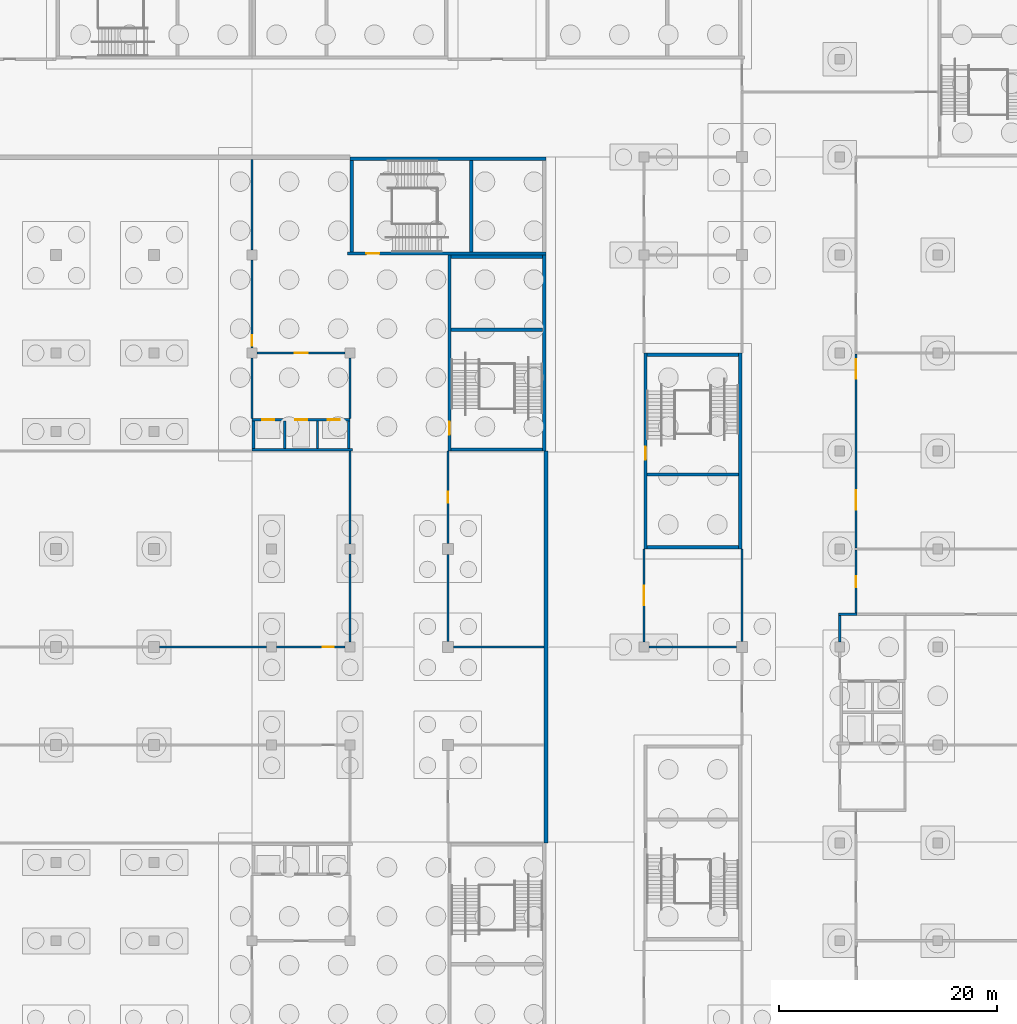
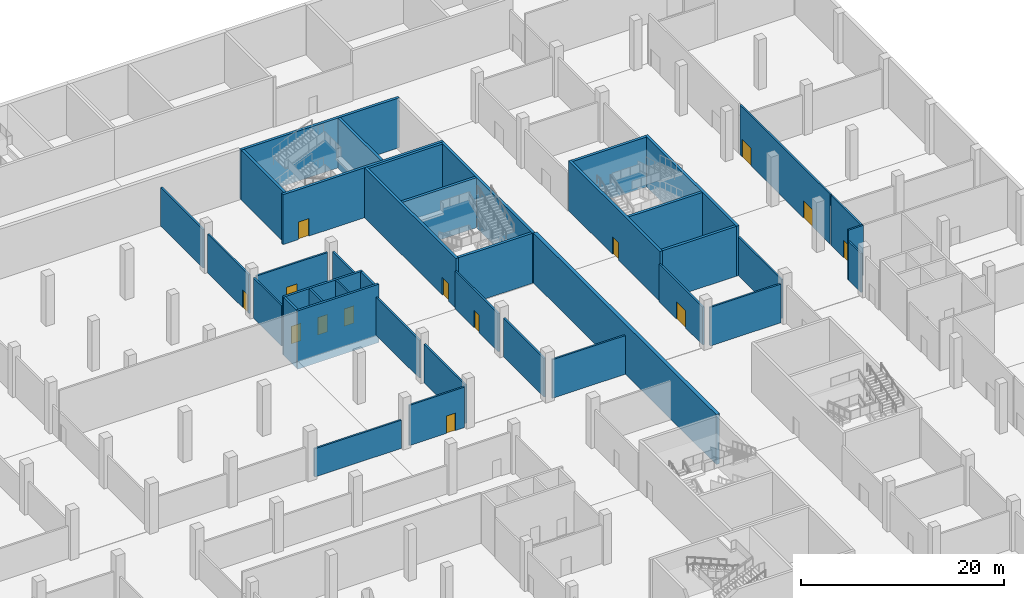
# One storey, part 20 of 42: 40 walls, 14 doors, 14 openings.
"""IFC4 building model written with IfcOpenShell, lengths in metres."""

from ifc_helpers import new_model, si_unit, direction, frame, frame_2d, origin, place, context, subcontext, project, spatial, rectangle, extrude, material, layer, layer_set, type_object, element, fill, save


model = new_model("IFC4")

# Units and contexts
model_context = context("Model", 3, precision=1e-05, world=origin(), true_north=direction((0.0, 1.0)))
body_context = subcontext(model_context, "Body", "Model", "MODEL_VIEW")
ifc_project = project(units=[si_unit("LENGTHUNIT", "METRE"), si_unit("AREAUNIT", "SQUARE_METRE"), si_unit("VOLUMEUNIT", "CUBIC_METRE"), si_unit("PLANEANGLEUNIT", "RADIAN"), si_unit("MASSUNIT", "GRAM", prefix="KILO")], contexts=[model_context])

# Site, building, storey
site_placement = place(None, origin())
site = spatial("IfcSite", under=ifc_project, at=site_placement, CompositionType="ELEMENT")
building_placement = place(site_placement, origin())
building = spatial("IfcBuilding", under=site, at=building_placement, Name="Silverbay Arena", CompositionType="ELEMENT")
storey_placement = place(building_placement, frame((0.0, 0.0, -6.0)))
storey = spatial("IfcBuildingStorey", under=building, at=storey_placement, Name="B1", CompositionType="ELEMENT", Elevation=-6.0)

# Wall, opening, door
ifc_material_1 = material(Name="Concrete Grade C45", Category="concrete")
ifc_layer_1 = layer(ifc_material_1, 0.300048828125)
ifc_layer_set_1 = layer_set([ifc_layer_1], Name="Concrete Grade C45")
wall_type_1 = type_object("IfcWallType", Name="Core wall RC 300 EI 240", PredefinedType="SHEAR", material=ifc_layer_set_1)
wall_1_placement = place(storey_placement, frame((198.14990234375, 108.0, 0.0), z_axis=(0.0, 0.0, 1.0), x_axis=(0.0, -1.0, 0.0)))
wall_1 = element("IfcWall", 1, at=wall_1_placement, inside=storey, type_object=wall_type_1, Name="Core wall ST-E2 B1 door side", PredefinedType="SHEAR", context=body_context, shape_type="SweptSolid", body=[
    extrude(rectangle(XDim=18.0, YDim=0.300048828125, at=frame_2d((9.0, 0.0))), origin(), (0.0, 0.0, 1.0), 6.0),
])
opening_1_placement = place(wall_1_placement, frame((8.60009765625, 0.0, 0.0)))
opening_1 = element("IfcOpeningElement", 2, at=opening_1_placement, cuts=wall_1, Name="Opening B1-087", PredefinedType="OPENING", context=body_context, shape_type="SweptSolid", body=[
    extrude(rectangle(XDim=1.199951171875, YDim=2.10009765625, at=frame_2d((0.60009765625, 1.050048828125))), frame((0.0, 0.16015625, 0.0), z_axis=(0.0, -1.0, 0.0), x_axis=(1.0, 0.0, 0.0)), (0.0, 0.0, 1.0), 0.320068359375),
])
ifc_material_2 = material(Name="Steel fire door", Category="steel")
door_type_1 = type_object("IfcDoorType", Name="Stair door 1200 x 2100 fire door", OperationType="SINGLE_SWING_LEFT", PredefinedType="DOOR", material=ifc_material_2)
door_1_placement = place(opening_1_placement, origin())
door_1 = element("IfcDoor", 3, at=door_1_placement, inside=storey, type_object=door_type_1, Name="Stair door ST-E2 B1", OperationType="SINGLE_SWING_RIGHT", OverallHeight=2.10009765625, OverallWidth=1.199951171875, PredefinedType="DOOR", context=body_context, shape_type="SweptSolid", body=[
    extrude(rectangle(XDim=1.199951171875, YDim=2.10009765625, at=frame_2d((0.60009765625, 1.050048828125))), frame((0.0, 0.02490234375, 0.0), z_axis=(0.0, -1.0, 0.0), x_axis=(1.0, 0.0, 0.0)), (0.0, 0.0, 1.0), 0.050048828125),
])
fill(opening_1, door_1)

# Walls
wall_2_placement = place(storey_placement, frame((206.85009765625, 108.0, 0.0), z_axis=(0.0, 0.0, 1.0), x_axis=(0.0, -1.0, 0.0)))
element("IfcWall", 4, at=wall_2_placement, inside=storey, type_object=wall_type_1, Name="Core wall ST-E2 B1 far side", PredefinedType="SHEAR", context=body_context, shape_type="SweptSolid", body=[
    extrude(rectangle(XDim=18.0, YDim=0.300048828125, at=frame_2d((9.0, 0.0))), origin(), (0.0, 0.0, 1.0), 6.0),
])
for number, where, z_axis, x_axis, name in (
    (5, (198.300048828125, 107.85009765625, 0.0), (0.0, 0.0, 1.0), (1.0, 0.0, 0.0), "Core wall ST-E2 B1 end 1"),
    (6, (198.300048828125, 90.14990234375, 0.0), (0.0, 0.0, 1.0), (1.0, 0.0, 0.0), "Core wall ST-E2 B1 end 2"),
    (7, (198.300048828125, 96.85009765625, 0.0), (0.0, 0.0, 1.0), (1.0, 0.0, 0.0), "Core wall ST-E2 B1 stair enclosure"),
):
    element("IfcWall", number, at=place(storey_placement, frame(where, z_axis=z_axis, x_axis=x_axis)), inside=storey, type_object=wall_type_1, Name=name, PredefinedType="SHEAR", context=body_context, shape_type="SweptSolid", body=[
        extrude(rectangle(XDim=8.39990234375, YDim=0.300048828125, at=frame_2d((4.199951171875, 0.0))), origin(), (0.0, 0.0, 1.0), 6.0),
    ])

# Wall, opening, door
wall_3_placement = place(storey_placement, frame((170.75, 117.14990234375, 0.0), z_axis=(0.0, 0.0, 1.0), x_axis=(1.0, 0.0, 0.0)))
wall_3 = element("IfcWall", 8, at=wall_3_placement, inside=storey, type_object=wall_type_1, Name="Core wall ST-NE1 B1 door side", PredefinedType="SHEAR", context=body_context, shape_type="SweptSolid", body=[
    extrude(rectangle(XDim=18.25, YDim=0.300048828125, at=frame_2d((9.125, 0.0))), origin(), (0.0, 0.0, 1.0), 6.0),
])
opening_2_placement = place(wall_3_placement, frame((1.75, 0.0, 0.0)))
opening_2 = element("IfcOpeningElement", 9, at=opening_2_placement, cuts=wall_3, Name="Opening B1-094", PredefinedType="OPENING", context=body_context, shape_type="SweptSolid", body=[
    extrude(rectangle(XDim=1.199951171875, YDim=2.10009765625, at=frame_2d((0.60009765625, 1.050048828125))), frame((0.0, 0.16015625, 0.0), z_axis=(0.0, -1.0, 0.0), x_axis=(1.0, 0.0, 0.0)), (0.0, 0.0, 1.0), 0.320068359375),
])
door_2_placement = place(opening_2_placement, origin())
door_2 = element("IfcDoor", 10, at=door_2_placement, inside=storey, type_object=door_type_1, Name="Stair door ST-NE1 B1", OperationType="SINGLE_SWING_LEFT", OverallHeight=2.10009765625, OverallWidth=1.199951171875, PredefinedType="DOOR", context=body_context, shape_type="SweptSolid", body=[
    extrude(rectangle(XDim=1.199951171875, YDim=2.10009765625, at=frame_2d((0.60009765625, 1.050048828125))), frame((0.0, 0.02490234375, 0.0), z_axis=(0.0, -1.0, 0.0), x_axis=(1.0, 0.0, 0.0)), (0.0, 0.0, 1.0), 0.050048828125),
])
fill(opening_2, door_2)

# Walls
wall_4_placement = place(storey_placement, frame((171.0, 125.85009765625, 0.0), z_axis=(0.0, 0.0, 1.0), x_axis=(1.0, 0.0, 0.0)))
element("IfcWall", 11, at=wall_4_placement, inside=storey, type_object=wall_type_1, Name="Core wall ST-NE1 B1 far side", PredefinedType="SHEAR", context=body_context, shape_type="SweptSolid", body=[
    extrude(rectangle(XDim=18.0, YDim=0.300048828125, at=frame_2d((9.0, 0.0))), origin(), (0.0, 0.0, 1.0), 6.0),
])
for number, where, z_axis, x_axis, name in (
    (12, (171.14990234375, 117.300048828125, 0.0), (0.0, 0.0, 1.0), (0.0, 1.0, 0.0), "Core wall ST-NE1 B1 end 1"),
    (13, (182.14990234375, 117.300048828125, 0.0), (0.0, 0.0, 1.0), (0.0, 1.0, 0.0), "Core wall ST-NE1 B1 stair enclosure"),
):
    element("IfcWall", number, at=place(storey_placement, frame(where, z_axis=z_axis, x_axis=x_axis)), inside=storey, type_object=wall_type_1, Name=name, PredefinedType="SHEAR", context=body_context, shape_type="SweptSolid", body=[
        extrude(rectangle(XDim=8.39990234375, YDim=0.300048828125, at=frame_2d((4.199951171875, 0.0))), origin(), (0.0, 0.0, 1.0), 6.0),
    ])

# Wall, opening, door
wall_5_placement = place(storey_placement, frame((180.14990234375, 99.0, 0.0), z_axis=(0.0, 0.0, 1.0), x_axis=(0.0, 1.0, 0.0)))
wall_5 = element("IfcWall", 14, at=wall_5_placement, inside=storey, type_object=wall_type_1, Name="Core wall ST-NE2 B1 door side", PredefinedType="SHEAR", context=body_context, shape_type="SweptSolid", body=[
    extrude(rectangle(XDim=18.0, YDim=0.300048828125, at=frame_2d((9.0, 0.0))), origin(), (0.0, 0.0, 1.0), 6.0),
])
opening_3_placement = place(wall_5_placement, frame((1.5, 0.0, 0.0)))
opening_3 = element("IfcOpeningElement", 15, at=opening_3_placement, cuts=wall_5, Name="Opening B1-095", PredefinedType="OPENING", context=body_context, shape_type="SweptSolid", body=[
    extrude(rectangle(XDim=1.199951171875, YDim=2.10009765625, at=frame_2d((0.60009765625, 1.050048828125))), frame((0.0, 0.16015625, 0.0), z_axis=(0.0, -1.0, 0.0), x_axis=(1.0, 0.0, 0.0)), (0.0, 0.0, 1.0), 0.320068359375),
])
door_3_placement = place(opening_3_placement, frame((1.199951171875, 0.0, 0.0), z_axis=(0.0, 0.0, 1.0), x_axis=(-1.0, 0.0, 0.0)))
door_3 = element("IfcDoor", 16, at=door_3_placement, inside=storey, type_object=door_type_1, Name="Stair door ST-NE2 B1", OperationType="SINGLE_SWING_RIGHT", OverallHeight=2.10009765625, OverallWidth=1.199951171875, PredefinedType="DOOR", context=body_context, shape_type="SweptSolid", body=[
    extrude(rectangle(XDim=1.199951171875, YDim=2.10009765625, at=frame_2d((0.60009765625, 1.050048828125))), frame((0.0, 0.02490234375, 0.0), z_axis=(0.0, -1.0, 0.0), x_axis=(1.0, 0.0, 0.0)), (0.0, 0.0, 1.0), 0.050048828125),
])
fill(opening_3, door_3)

# Walls
wall_6_placement = place(storey_placement, frame((188.85009765625, 99.0, 0.0), z_axis=(0.0, 0.0, 1.0), x_axis=(0.0, 1.0, 0.0)))
element("IfcWall", 17, at=wall_6_placement, inside=storey, type_object=wall_type_1, Name="Core wall ST-NE2 B1 far side", PredefinedType="SHEAR", context=body_context, shape_type="SweptSolid", body=[
    extrude(rectangle(XDim=18.0, YDim=0.300048828125, at=frame_2d((9.0, 0.0))), origin(), (0.0, 0.0, 1.0), 6.0),
])
for number, where, z_axis, x_axis, name in (
    (18, (180.300048828125, 99.14990234375, 0.0), (0.0, 0.0, 1.0), (1.0, 0.0, 0.0), "Core wall ST-NE2 B1 end 1"),
    (19, (180.300048828125, 116.85009765625, 0.0), (0.0, 0.0, 1.0), (1.0, 0.0, 0.0), "Core wall ST-NE2 B1 end 2"),
    (20, (180.300048828125, 110.14990234375, 0.0), (0.0, 0.0, 1.0), (1.0, 0.0, 0.0), "Core wall ST-NE2 B1 stair enclosure"),
):
    element("IfcWall", number, at=place(storey_placement, frame(where, z_axis=z_axis, x_axis=x_axis)), inside=storey, type_object=wall_type_1, Name=name, PredefinedType="SHEAR", context=body_context, shape_type="SweptSolid", body=[
        extrude(rectangle(XDim=8.39990234375, YDim=0.300048828125, at=frame_2d((4.199951171875, 0.0))), origin(), (0.0, 0.0, 1.0), 6.0),
    ])
ifc_material_3 = material(Name="Concrete Grade C45", Category="concrete")
ifc_layer_2 = layer(ifc_material_3, 0.199951171875)
ifc_layer_set_2 = layer_set([ifc_layer_2], Name="Concrete Grade C45")
wall_type_2 = type_object("IfcWallType", Name="Lift shaft divider RC 200 EI 240", PredefinedType="SHEAR", material=ifc_layer_set_2)
for number, where, z_axis, x_axis, name in (
    (21, (165.0, 99.25, -1.0), (0.0, 0.0, 1.0), (0.0, 1.0, 0.0), "Lift shaft divider LB-NE B1 1"),
    (22, (168.0, 99.25, -1.0), (0.0, 0.0, 1.0), (0.0, 1.0, 0.0), "Lift shaft divider LB-NE B1 2"),
):
    element("IfcWall", number, at=place(storey_placement, frame(where, z_axis=z_axis, x_axis=x_axis)), inside=storey, type_object=wall_type_2, Name=name, PredefinedType="SHEAR", context=body_context, shape_type="SweptSolid", body=[
        extrude(rectangle(XDim=2.5, YDim=0.199951171875, at=frame_2d((1.25, 0.0))), origin(), (0.0, 0.0, 1.0), 7.0),
    ])

# Wall, openings, doors
ifc_material_4 = material(Name="Concrete Grade C45", Category="concrete")
ifc_layer_3 = layer(ifc_material_4, 0.25)
ifc_layer_set_3 = layer_set([ifc_layer_3], Name="Concrete Grade C45")
wall_type_3 = type_object("IfcWallType", Name="Lift shaft wall RC 250 EI 240", PredefinedType="SHEAR", material=ifc_layer_set_3)
wall_7_placement = place(storey_placement, frame((162.0, 101.875, -1.0), z_axis=(0.0, 0.0, 1.0), x_axis=(1.0, 0.0, 0.0)))
wall_7 = element("IfcWall", 23, at=wall_7_placement, inside=storey, type_object=wall_type_3, Name="Lift shaft wall LB-NE B1 landing side", PredefinedType="SHEAR", context=body_context, shape_type="SweptSolid", body=[
    extrude(rectangle(XDim=9.0, YDim=0.25, at=frame_2d((4.5, 0.0))), origin(), (0.0, 0.0, 1.0), 7.0),
])
opening_4_placement = place(wall_7_placement, frame((0.949951171875, 0.0, 1.0)))
opening_4 = element("IfcOpeningElement", 24, at=opening_4_placement, cuts=wall_7, Name="Opening B1-109", PredefinedType="OPENING", context=body_context, shape_type="SweptSolid", body=[
    extrude(rectangle(XDim=1.10009765625, YDim=2.10009765625, at=frame_2d((0.550048828125, 1.050048828125))), frame((0.0, 0.135009765625, 0.0), z_axis=(0.0, -1.0, 0.0), x_axis=(1.0, 0.0, 0.0)), (0.0, 0.0, 1.0), 0.27001953125),
])
opening_5_placement = place(wall_7_placement, frame((3.949951171875, 0.0, 1.0)))
opening_5 = element("IfcOpeningElement", 25, at=opening_5_placement, cuts=wall_7, Name="Opening B1-110", PredefinedType="OPENING", context=body_context, shape_type="SweptSolid", body=[
    extrude(rectangle(XDim=1.10009765625, YDim=2.10009765625, at=frame_2d((0.550048828125, 1.050048828125))), frame((0.0, 0.135009765625, 0.0), z_axis=(0.0, -1.0, 0.0), x_axis=(1.0, 0.0, 0.0)), (0.0, 0.0, 1.0), 0.27001953125),
])
opening_6_placement = place(wall_7_placement, frame((6.949951171875, 0.0, 1.0)))
opening_6 = element("IfcOpeningElement", 26, at=opening_6_placement, cuts=wall_7, Name="Opening B1-111", PredefinedType="OPENING", context=body_context, shape_type="SweptSolid", body=[
    extrude(rectangle(XDim=1.10009765625, YDim=2.10009765625, at=frame_2d((0.550048828125, 1.050048828125))), frame((0.0, 0.135009765625, 0.0), z_axis=(0.0, -1.0, 0.0), x_axis=(1.0, 0.0, 0.0)), (0.0, 0.0, 1.0), 0.27001953125),
])
ifc_material_5 = material(Name="Stainless steel", Category="steel")
door_type_2 = type_object("IfcDoorType", Name="LD1 lift landing door 1100 x 2100", OperationType="DOUBLE_DOOR_SLIDING", PredefinedType="DOOR", material=ifc_material_5)
door_4_placement = place(opening_4_placement, origin())
door_4 = element("IfcDoor", 27, at=door_4_placement, inside=storey, type_object=door_type_2, Name="Lift landing door LF12 B1", OperationType="DOUBLE_DOOR_SLIDING", OverallHeight=2.10009765625, OverallWidth=1.10009765625, PredefinedType="DOOR", context=body_context, shape_type="SweptSolid", body=[
    extrude(rectangle(XDim=1.10009765625, YDim=2.10009765625, at=frame_2d((0.550048828125, 1.050048828125))), frame((0.0, 0.02490234375, 0.0), z_axis=(0.0, -1.0, 0.0), x_axis=(1.0, 0.0, 0.0)), (0.0, 0.0, 1.0), 0.050048828125),
])
fill(opening_4, door_4)
door_5_placement = place(opening_5_placement, origin())
door_5 = element("IfcDoor", 28, at=door_5_placement, inside=storey, type_object=door_type_2, Name="Lift landing door LF13 B1", OperationType="DOUBLE_DOOR_SLIDING", OverallHeight=2.10009765625, OverallWidth=1.10009765625, PredefinedType="DOOR", context=body_context, shape_type="SweptSolid", body=[
    extrude(rectangle(XDim=1.10009765625, YDim=2.10009765625, at=frame_2d((0.550048828125, 1.050048828125))), frame((0.0, 0.02490234375, 0.0), z_axis=(0.0, -1.0, 0.0), x_axis=(1.0, 0.0, 0.0)), (0.0, 0.0, 1.0), 0.050048828125),
])
fill(opening_5, door_5)
door_6_placement = place(opening_6_placement, origin())
door_6 = element("IfcDoor", 29, at=door_6_placement, inside=storey, type_object=door_type_2, Name="Lift landing door LF14 B1", OperationType="DOUBLE_DOOR_SLIDING", OverallHeight=2.10009765625, OverallWidth=1.10009765625, PredefinedType="DOOR", context=body_context, shape_type="SweptSolid", body=[
    extrude(rectangle(XDim=1.10009765625, YDim=2.10009765625, at=frame_2d((0.550048828125, 1.050048828125))), frame((0.0, 0.02490234375, 0.0), z_axis=(0.0, -1.0, 0.0), x_axis=(1.0, 0.0, 0.0)), (0.0, 0.0, 1.0), 0.050048828125),
])
fill(opening_6, door_6)

# Walls
wall_8_placement = place(storey_placement, frame((162.0, 99.125, -1.0), z_axis=(0.0, 0.0, 1.0), x_axis=(1.0, 0.0, 0.0)))
element("IfcWall", 30, at=wall_8_placement, inside=storey, type_object=wall_type_3, Name="Lift shaft wall LB-NE B1 back", PredefinedType="SHEAR", context=body_context, shape_type="SweptSolid", body=[
    extrude(rectangle(XDim=9.25, YDim=0.25, at=frame_2d((4.625, 0.0))), origin(), (0.0, 0.0, 1.0), 7.0),
])
for number, where, z_axis, x_axis, name in (
    (31, (162.125, 99.25, -1.0), (0.0, 0.0, 1.0), (0.0, 1.0, 0.0), "Lift shaft wall LB-NE B1 end"),
    (32, (170.875, 99.25, -1.0), (0.0, 0.0, 1.0), (0.0, 1.0, 0.0), "Lift shaft wall LB-NE B1 end"),
):
    element("IfcWall", number, at=place(storey_placement, frame(where, z_axis=z_axis, x_axis=x_axis)), inside=storey, type_object=wall_type_3, Name=name, PredefinedType="SHEAR", context=body_context, shape_type="SweptSolid", body=[
        extrude(rectangle(XDim=2.5, YDim=0.25, at=frame_2d((1.25, 0.0))), origin(), (0.0, 0.0, 1.0), 7.0),
    ])

# Wall, opening, door
ifc_material_6 = material(Name="Masonry blockwork partition", Category="masonry")
ifc_layer_4 = layer(ifc_material_6, 0.199951171875)
ifc_layer_set_4 = layer_set([ifc_layer_4], Name="Masonry blockwork partition")
wall_type_4 = type_object("IfcWallType", Name="Partition 200 EI 240", PredefinedType="PARTITIONING", material=ifc_layer_set_4)
wall_9_placement = place(storey_placement, frame((164.25, 81.0, 0.0), z_axis=(0.0, 0.0, 1.0), x_axis=(1.0, 0.0, 0.0)))
wall_9 = element("IfcWall", 33, at=wall_9_placement, inside=storey, type_object=wall_type_4, Name="Partition wall", PredefinedType="PARTITIONING", context=body_context, shape_type="SweptSolid", body=[
    extrude(rectangle(XDim=6.300048828125, YDim=0.199951171875, at=frame_2d((3.14990234375, 0.0))), origin(), (0.0, 0.0, 1.0), 4.85009765625),
])
opening_7_placement = place(wall_9_placement, frame((4.25, 0.0, 0.0)))
opening_7 = element("IfcOpeningElement", 34, at=opening_7_placement, cuts=wall_9, Name="Opening B1-051", PredefinedType="OPENING", context=body_context, shape_type="SweptSolid", body=[
    extrude(rectangle(XDim=1.0, YDim=2.10009765625, at=frame_2d((0.5, 1.050048828125))), frame((0.0, 0.10986328125, 0.0), z_axis=(0.0, -1.0, 0.0), x_axis=(1.0, 0.0, 0.0)), (0.0, 0.0, 1.0), 0.219970703125),
])
ifc_material_7 = material(Name="Steel faced timber", Category="steel")
door_type_3 = type_object("IfcDoorType", Name="Single leaf door 1000 x 2100 FD30S", OperationType="SINGLE_SWING_LEFT", PredefinedType="DOOR", material=ifc_material_7)
door_7_placement = place(opening_7_placement, origin())
door_7 = element("IfcDoor", 35, at=door_7_placement, inside=storey, type_object=door_type_3, Name="Door B1-051", OperationType="SINGLE_SWING_RIGHT", OverallHeight=2.10009765625, OverallWidth=1.0, PredefinedType="DOOR", context=body_context, shape_type="SweptSolid", body=[
    extrude(rectangle(XDim=1.0, YDim=2.10009765625, at=frame_2d((0.5, 1.050048828125))), frame((0.0, 0.02490234375, 0.0), z_axis=(0.0, -1.0, 0.0), x_axis=(1.0, 0.0, 0.0)), (0.0, 0.0, 1.0), 0.050048828125),
])
fill(opening_7, door_7)

# Walls
wall_10_placement = place(storey_placement, frame((153.5, 81.0, 0.0), z_axis=(0.0, 0.0, 1.0), x_axis=(1.0, 0.0, 0.0)))
element("IfcWall", 36, at=wall_10_placement, inside=storey, type_object=wall_type_4, Name="Partition wall", PredefinedType="PARTITIONING", context=body_context, shape_type="SweptSolid", body=[
    extrude(rectangle(XDim=9.85009765625, YDim=0.199951171875, at=frame_2d((4.925048828125, 0.0))), origin(), (0.0, 0.0, 1.0), 3.39990234375),
])
wall_11_placement = place(storey_placement, frame((180.5, 81.0, 0.0), z_axis=(0.0, 0.0, 1.0), x_axis=(1.0, 0.0, 0.0)))
element("IfcWall", 37, at=wall_11_placement, inside=storey, type_object=wall_type_4, Name="Partition wall", PredefinedType="PARTITIONING", context=body_context, shape_type="SweptSolid", body=[
    extrude(rectangle(XDim=8.300048828125, YDim=0.199951171875, at=frame_2d((4.14990234375, 0.0))), origin(), (0.0, 0.0, 1.0), 4.64990234375),
])
wall_12_placement = place(storey_placement, frame((198.449951171875, 81.0, 0.0), z_axis=(0.0, 0.0, 1.0), x_axis=(1.0, 0.0, 0.0)))
element("IfcWall", 38, at=wall_12_placement, inside=storey, type_object=wall_type_4, Name="Partition wall", PredefinedType="PARTITIONING", context=body_context, shape_type="SweptSolid", body=[
    extrude(rectangle(XDim=8.050048828125, YDim=0.199951171875, at=frame_2d((4.02490234375, 0.0))), origin(), (0.0, 0.0, 1.0), 4.64990234375),
])
wall_13_placement = place(storey_placement, frame((215.89990234375, 84.0, 0.0), z_axis=(0.0, 0.0, 1.0), x_axis=(1.0, 0.0, 0.0)))
element("IfcWall", 39, at=wall_13_placement, inside=storey, type_object=wall_type_4, Name="Partition wall", PredefinedType="PARTITIONING", context=body_context, shape_type="SweptSolid", body=[
    extrude(rectangle(XDim=1.7001953125, YDim=0.199951171875, at=frame_2d((0.85009765625, 0.0))), origin(), (0.0, 0.0, 1.0), 6.0),
])

# Wall, opening, door
wall_14_placement = place(storey_placement, frame((162.449951171875, 108.0, 0.0), z_axis=(0.0, 0.0, 1.0), x_axis=(1.0, 0.0, 0.0)))
wall_14 = element("IfcWall", 40, at=wall_14_placement, inside=storey, type_object=wall_type_4, Name="Partition wall", PredefinedType="PARTITIONING", context=body_context, shape_type="SweptSolid", body=[
    extrude(rectangle(XDim=8.10009765625, YDim=0.199951171875, at=frame_2d((4.050048828125, 0.0))), origin(), (0.0, 0.0, 1.0), 4.64990234375),
])
opening_8_placement = place(wall_14_placement, frame((3.449951171875, 0.0, 0.0)))
opening_8 = element("IfcOpeningElement", 41, at=opening_8_placement, cuts=wall_14, Name="Opening B1-040", PredefinedType="OPENING", context=body_context, shape_type="SweptSolid", body=[
    extrude(rectangle(XDim=1.199951171875, YDim=2.10009765625, at=frame_2d((0.60009765625, 1.050048828125))), frame((0.0, 0.10986328125, 0.0), z_axis=(0.0, -1.0, 0.0), x_axis=(1.0, 0.0, 0.0)), (0.0, 0.0, 1.0), 0.219970703125),
])
ifc_material_8 = material(Name="Steel faced timber", Category="steel")
door_type_4 = type_object("IfcDoorType", Name="Single leaf door 1200 x 2100 FD240", OperationType="SINGLE_SWING_LEFT", PredefinedType="DOOR", material=ifc_material_8)
door_8_placement = place(opening_8_placement, origin())
door_8 = element("IfcDoor", 42, at=door_8_placement, inside=storey, type_object=door_type_4, Name="Door B1-040", OperationType="SINGLE_SWING_RIGHT", OverallHeight=2.10009765625, OverallWidth=1.199951171875, PredefinedType="DOOR", context=body_context, shape_type="SweptSolid", body=[
    extrude(rectangle(XDim=1.199951171875, YDim=2.10009765625, at=frame_2d((0.60009765625, 1.050048828125))), frame((0.0, 0.02490234375, 0.0), z_axis=(0.0, -1.0, 0.0), x_axis=(1.0, 0.0, 0.0)), (0.0, 0.0, 1.0), 0.050048828125),
])
fill(opening_8, door_8)

# Wall
wall_15_placement = place(storey_placement, frame((162.0, 102.0, 0.0), z_axis=(0.0, 0.0, 1.0), x_axis=(0.0, 1.0, 0.0)))
element("IfcWall", 43, at=wall_15_placement, inside=storey, type_object=wall_type_4, Name="Partition wall", PredefinedType="PARTITIONING", context=body_context, shape_type="SweptSolid", body=[
    extrude(rectangle(XDim=5.550048828125, YDim=0.199951171875, at=frame_2d((2.77490234375, 0.0))), origin(), (0.0, 0.0, 1.0), 4.85009765625),
])

# Wall, opening, door
wall_16_placement = place(storey_placement, frame((162.0, 108.449951171875, 0.0), z_axis=(0.0, 0.0, 1.0), x_axis=(0.0, 1.0, 0.0)))
wall_16 = element("IfcWall", 44, at=wall_16_placement, inside=storey, type_object=wall_type_4, Name="Partition wall", PredefinedType="PARTITIONING", context=body_context, shape_type="SweptSolid", body=[
    extrude(rectangle(XDim=8.10009765625, YDim=0.199951171875, at=frame_2d((4.050048828125, 0.0))), origin(), (0.0, 0.0, 1.0), 4.64990234375),
])
opening_9_placement = place(wall_16_placement, frame((0.199951171875, 0.0, 0.0)))
opening_9 = element("IfcOpeningElement", 45, at=opening_9_placement, cuts=wall_16, Name="Opening B1-076", PredefinedType="OPENING", context=body_context, shape_type="SweptSolid", body=[
    extrude(rectangle(XDim=1.0, YDim=2.10009765625, at=frame_2d((0.5, 1.050048828125))), frame((0.0, 0.10986328125, 0.0), z_axis=(0.0, -1.0, 0.0), x_axis=(1.0, 0.0, 0.0)), (0.0, 0.0, 1.0), 0.219970703125),
])
ifc_material_9 = material(Name="Steel faced timber", Category="steel")
door_type_5 = type_object("IfcDoorType", Name="Single leaf door 1000 x 2100 FD240", OperationType="SINGLE_SWING_LEFT", PredefinedType="DOOR", material=ifc_material_9)
door_9_placement = place(opening_9_placement, origin())
door_9 = element("IfcDoor", 46, at=door_9_placement, inside=storey, type_object=door_type_5, Name="Door B1-076", OperationType="SINGLE_SWING_LEFT", OverallHeight=2.10009765625, OverallWidth=1.0, PredefinedType="DOOR", context=body_context, shape_type="SweptSolid", body=[
    extrude(rectangle(XDim=1.0, YDim=2.10009765625, at=frame_2d((0.5, 1.050048828125))), frame((0.0, 0.02490234375, 0.0), z_axis=(0.0, -1.0, 0.0), x_axis=(1.0, 0.0, 0.0)), (0.0, 0.0, 1.0), 0.050048828125),
])
fill(opening_9, door_9)

# Walls
wall_17_placement = place(storey_placement, frame((162.0, 117.449951171875, 0.0), z_axis=(0.0, 0.0, 1.0), x_axis=(0.0, 1.0, 0.0)))
element("IfcWall", 47, at=wall_17_placement, inside=storey, type_object=wall_type_4, Name="Partition wall", PredefinedType="PARTITIONING", context=body_context, shape_type="SweptSolid", body=[
    extrude(rectangle(XDim=8.35009765625, YDim=0.199951171875, at=frame_2d((4.175048828125, 0.0))), origin(), (0.0, 0.0, 1.0), 4.64990234375),
])
wall_18_placement = place(storey_placement, frame((171.0, 81.449951171875, 0.0), z_axis=(0.0, 0.0, 1.0), x_axis=(0.0, 1.0, 0.0)))
element("IfcWall", 48, at=wall_18_placement, inside=storey, type_object=wall_type_4, Name="Partition wall", PredefinedType="PARTITIONING", context=body_context, shape_type="SweptSolid", body=[
    extrude(rectangle(XDim=8.10009765625, YDim=0.199951171875, at=frame_2d((4.050048828125, 0.0))), origin(), (0.0, 0.0, 1.0), 4.64990234375),
])
wall_19_placement = place(storey_placement, frame((171.0, 90.449951171875, 0.0), z_axis=(0.0, 0.0, 1.0), x_axis=(0.0, 1.0, 0.0)))
element("IfcWall", 49, at=wall_19_placement, inside=storey, type_object=wall_type_4, Name="Partition wall", PredefinedType="PARTITIONING", context=body_context, shape_type="SweptSolid", body=[
    extrude(rectangle(XDim=8.550048828125, YDim=0.199951171875, at=frame_2d((4.27490234375, 0.0))), origin(), (0.0, 0.0, 1.0), 4.550048828125),
])
wall_20_placement = place(storey_placement, frame((171.0, 102.0, 0.0), z_axis=(0.0, 0.0, 1.0), x_axis=(0.0, 1.0, 0.0)))
element("IfcWall", 50, at=wall_20_placement, inside=storey, type_object=wall_type_4, Name="Partition wall", PredefinedType="PARTITIONING", context=body_context, shape_type="SweptSolid", body=[
    extrude(rectangle(XDim=5.550048828125, YDim=0.199951171875, at=frame_2d((2.77490234375, 0.0))), origin(), (0.0, 0.0, 1.0), 4.85009765625),
])
wall_21_placement = place(storey_placement, frame((180.0, 81.5, 0.0), z_axis=(0.0, 0.0, 1.0), x_axis=(0.0, 1.0, 0.0)))
element("IfcWall", 51, at=wall_21_placement, inside=storey, type_object=wall_type_4, Name="Partition wall", PredefinedType="PARTITIONING", context=body_context, shape_type="SweptSolid", body=[
    extrude(rectangle(XDim=8.0, YDim=0.199951171875, at=frame_2d((4.0, 0.0))), origin(), (0.0, 0.0, 1.0), 4.64990234375),
])

# Wall, opening, door
wall_22_placement = place(storey_placement, frame((180.0, 90.5, 0.0), z_axis=(0.0, 0.0, 1.0), x_axis=(0.0, 1.0, 0.0)))
wall_22 = element("IfcWall", 52, at=wall_22_placement, inside=storey, type_object=wall_type_4, Name="Partition wall", PredefinedType="PARTITIONING", context=body_context, shape_type="SweptSolid", body=[
    extrude(rectangle(XDim=8.5, YDim=0.199951171875, at=frame_2d((4.25, 0.0))), origin(), (0.0, 0.0, 1.0), 4.550048828125),
])
opening_10_placement = place(wall_22_placement, frame((3.75, 0.0, 0.0)))
opening_10 = element("IfcOpeningElement", 53, at=opening_10_placement, cuts=wall_22, Name="Opening B1-052", PredefinedType="OPENING", context=body_context, shape_type="SweptSolid", body=[
    extrude(rectangle(XDim=1.0, YDim=2.10009765625, at=frame_2d((0.5, 1.050048828125))), frame((0.0, 0.10986328125, 0.0), z_axis=(0.0, -1.0, 0.0), x_axis=(1.0, 0.0, 0.0)), (0.0, 0.0, 1.0), 0.219970703125),
])
door_10_placement = place(opening_10_placement, frame((1.0, 0.0, 0.0), z_axis=(0.0, 0.0, 1.0), x_axis=(-1.0, 0.0, 0.0)))
door_10 = element("IfcDoor", 54, at=door_10_placement, inside=storey, type_object=door_type_3, Name="Door B1-052", OperationType="SINGLE_SWING_LEFT", OverallHeight=2.10009765625, OverallWidth=1.0, PredefinedType="DOOR", context=body_context, shape_type="SweptSolid", body=[
    extrude(rectangle(XDim=1.0, YDim=2.10009765625, at=frame_2d((0.5, 1.050048828125))), frame((0.0, 0.02490234375, 0.0), z_axis=(0.0, -1.0, 0.0), x_axis=(1.0, 0.0, 0.0)), (0.0, 0.0, 1.0), 0.050048828125),
])
fill(opening_10, door_10)

wall_23_placement = place(storey_placement, frame((198.0, 81.449951171875, 0.0), z_axis=(0.0, 0.0, 1.0), x_axis=(0.0, 1.0, 0.0)))
wall_23 = element("IfcWall", 55, at=wall_23_placement, inside=storey, type_object=wall_type_4, Name="Partition wall", PredefinedType="PARTITIONING", context=body_context, shape_type="SweptSolid", body=[
    extrude(rectangle(XDim=8.550048828125, YDim=0.199951171875, at=frame_2d((4.27490234375, 0.0))), origin(), (0.0, 0.0, 1.0), 4.550048828125),
])
opening_11_placement = place(wall_23_placement, frame((3.375, 0.0, 0.0)))
opening_11 = element("IfcOpeningElement", 56, at=opening_11_placement, cuts=wall_23, Name="Opening B1-018", PredefinedType="OPENING", context=body_context, shape_type="SweptSolid", body=[
    extrude(rectangle(XDim=1.800048828125, YDim=2.10009765625, at=frame_2d((0.89990234375, 1.050048828125))), frame((0.0, 0.10986328125, 0.0), z_axis=(0.0, -1.0, 0.0), x_axis=(1.0, 0.0, 0.0)), (0.0, 0.0, 1.0), 0.219970703125),
])
ifc_material_10 = material(Name="Steel faced timber", Category="steel")
door_type_6 = type_object("IfcDoorType", Name="Double leaf door 1800 x 2100 FD120", OperationType="DOUBLE_DOOR_DOUBLE_SWING", PredefinedType="DOOR", material=ifc_material_10)
door_11_placement = place(opening_11_placement, frame((1.800048828125, 0.0, 0.0), z_axis=(0.0, 0.0, 1.0), x_axis=(-1.0, 0.0, 0.0)))
door_11 = element("IfcDoor", 57, at=door_11_placement, inside=storey, type_object=door_type_6, Name="Door B1-018", OperationType="DOUBLE_DOOR_DOUBLE_SWING", OverallHeight=2.10009765625, OverallWidth=1.800048828125, PredefinedType="DOOR", context=body_context, shape_type="SweptSolid", body=[
    extrude(rectangle(XDim=1.800048828125, YDim=2.10009765625, at=frame_2d((0.89990234375, 1.050048828125))), frame((0.0, 0.02490234375, 0.0), z_axis=(0.0, -1.0, 0.0), x_axis=(1.0, 0.0, 0.0)), (0.0, 0.0, 1.0), 0.050048828125),
])
fill(opening_11, door_11)

# Walls
wall_24_placement = place(storey_placement, frame((207.0, 81.5, 0.0), z_axis=(0.0, 0.0, 1.0), x_axis=(0.0, 1.0, 0.0)))
element("IfcWall", 58, at=wall_24_placement, inside=storey, type_object=wall_type_4, Name="Partition wall", PredefinedType="PARTITIONING", context=body_context, shape_type="SweptSolid", body=[
    extrude(rectangle(XDim=8.5, YDim=0.199951171875, at=frame_2d((4.25, 0.0))), origin(), (0.0, 0.0, 1.0), 4.64990234375),
])
wall_25_placement = place(storey_placement, frame((216.0, 81.449951171875, 0.0), z_axis=(0.0, 0.0, 1.0), x_axis=(0.0, 1.0, 0.0)))
element("IfcWall", 59, at=wall_25_placement, inside=storey, type_object=wall_type_4, Name="Partition wall", PredefinedType="PARTITIONING", context=body_context, shape_type="SweptSolid", body=[
    extrude(rectangle(XDim=2.449951171875, YDim=0.199951171875, at=frame_2d((1.22509765625, 0.0))), origin(), (0.0, 0.0, 1.0), 4.64990234375),
])

# Wall, opening, door
wall_26_placement = place(storey_placement, frame((217.5, 84.10009765625, 0.0), z_axis=(0.0, 0.0, 1.0), x_axis=(0.0, 1.0, 0.0)))
wall_26 = element("IfcWall", 60, at=wall_26_placement, inside=storey, type_object=wall_type_4, Name="Partition wall", PredefinedType="PARTITIONING", context=body_context, shape_type="SweptSolid", body=[
    extrude(rectangle(XDim=5.7998046875, YDim=0.199951171875, at=frame_2d((2.89990234375, 0.0))), origin(), (0.0, 0.0, 1.0), 6.0),
])
opening_12_placement = place(wall_26_placement, frame((2.39990234375, 0.0, 0.0)))
opening_12 = element("IfcOpeningElement", 61, at=opening_12_placement, cuts=wall_26, Name="Opening B1-031", PredefinedType="OPENING", context=body_context, shape_type="SweptSolid", body=[
    extrude(rectangle(XDim=1.0, YDim=2.10009765625, at=frame_2d((0.5, 1.050048828125))), frame((0.0, 0.10986328125, 0.0), z_axis=(0.0, -1.0, 0.0), x_axis=(1.0, 0.0, 0.0)), (0.0, 0.0, 1.0), 0.219970703125),
])
door_12_placement = place(opening_12_placement, frame((1.0, 0.0, 0.0), z_axis=(0.0, 0.0, 1.0), x_axis=(-1.0, 0.0, 0.0)))
door_12 = element("IfcDoor", 62, at=door_12_placement, inside=storey, type_object=door_type_3, Name="Door B1-031", OperationType="SINGLE_SWING_RIGHT", OverallHeight=2.10009765625, OverallWidth=1.0, PredefinedType="DOOR", context=body_context, shape_type="SweptSolid", body=[
    extrude(rectangle(XDim=1.0, YDim=2.10009765625, at=frame_2d((0.5, 1.050048828125))), frame((0.0, 0.02490234375, 0.0), z_axis=(0.0, -1.0, 0.0), x_axis=(1.0, 0.0, 0.0)), (0.0, 0.0, 1.0), 0.050048828125),
])
fill(opening_12, door_12)

# Wall, openings, doors
wall_27_placement = place(storey_placement, frame((217.5, 90.10009765625, 0.0), z_axis=(0.0, 0.0, 1.0), x_axis=(0.0, 1.0, 0.0)))
wall_27 = element("IfcWall", 63, at=wall_27_placement, inside=storey, type_object=wall_type_4, Name="Partition wall", PredefinedType="PARTITIONING", context=body_context, shape_type="SweptSolid", body=[
    extrude(rectangle(XDim=17.7998046875, YDim=0.199951171875, at=frame_2d((8.89990234375, 0.0))), origin(), (0.0, 0.0, 1.0), 6.0),
])
opening_13_placement = place(wall_27_placement, frame((3.5, 0.0, 0.0)))
opening_13 = element("IfcOpeningElement", 64, at=opening_13_placement, cuts=wall_27, Name="Opening B1-033", PredefinedType="OPENING", context=body_context, shape_type="SweptSolid", body=[
    extrude(rectangle(XDim=1.800048828125, YDim=2.10009765625, at=frame_2d((0.89990234375, 1.050048828125))), frame((0.0, 0.10986328125, 0.0), z_axis=(0.0, -1.0, 0.0), x_axis=(1.0, 0.0, 0.0)), (0.0, 0.0, 1.0), 0.219970703125),
])
opening_14_placement = place(wall_27_placement, frame((15.548095703125, 0.0, 0.0)))
opening_14 = element("IfcOpeningElement", 65, at=opening_14_placement, cuts=wall_27, Name="Opening B1-066", PredefinedType="OPENING", context=body_context, shape_type="SweptSolid", body=[
    extrude(rectangle(XDim=1.800048828125, YDim=2.10009765625, at=frame_2d((0.89990234375, 1.050048828125))), frame((0.0, 0.10986328125, 0.0), z_axis=(0.0, -1.0, 0.0), x_axis=(1.0, 0.0, 0.0)), (0.0, 0.0, 1.0), 0.219970703125),
])
door_13_placement = place(opening_13_placement, frame((1.800048828125, 0.0, 0.0), z_axis=(0.0, 0.0, 1.0), x_axis=(-1.0, 0.0, 0.0)))
door_13 = element("IfcDoor", 66, at=door_13_placement, inside=storey, type_object=door_type_6, Name="Door B1-033", OperationType="DOUBLE_DOOR_DOUBLE_SWING", OverallHeight=2.10009765625, OverallWidth=1.800048828125, PredefinedType="DOOR", context=body_context, shape_type="SweptSolid", body=[
    extrude(rectangle(XDim=1.800048828125, YDim=2.10009765625, at=frame_2d((0.89990234375, 1.050048828125))), frame((0.0, 0.02490234375, 0.0), z_axis=(0.0, -1.0, 0.0), x_axis=(1.0, 0.0, 0.0)), (0.0, 0.0, 1.0), 0.050048828125),
])
fill(opening_13, door_13)
door_14_placement = place(opening_14_placement, frame((1.800048828125, 0.0, 0.0), z_axis=(0.0, 0.0, 1.0), x_axis=(-1.0, 0.0, 0.0)))
door_14 = element("IfcDoor", 67, at=door_14_placement, inside=storey, type_object=door_type_6, Name="Door B1-066", OperationType="DOUBLE_DOOR_DOUBLE_SWING", OverallHeight=2.10009765625, OverallWidth=1.800048828125, PredefinedType="DOOR", context=body_context, shape_type="SweptSolid", body=[
    extrude(rectangle(XDim=1.800048828125, YDim=2.10009765625, at=frame_2d((0.89990234375, 1.050048828125))), frame((0.0, 0.02490234375, 0.0), z_axis=(0.0, -1.0, 0.0), x_axis=(1.0, 0.0, 0.0)), (0.0, 0.0, 1.0), 0.050048828125),
])
fill(opening_14, door_14)

# Wall
ifc_material_11 = material(Name="Concrete Grade C45", Category="concrete")
ifc_layer_5 = layer(ifc_material_11, 0.39990234375)
ifc_layer_set_5 = layer_set([ifc_layer_5], Name="Concrete Grade C45")
wall_type_5 = type_object("IfcWallType", Name="RC back wall 400 EI 240", PredefinedType="SOLIDWALL", material=ifc_layer_set_5)
wall_28_placement = place(storey_placement, frame((189.0, 63.0, 0.0), z_axis=(0.0, 0.0, 1.0), x_axis=(0.0, 1.0, 0.0)))
element("IfcWall", 68, at=wall_28_placement, inside=storey, type_object=wall_type_5, Name="Bowl back wall B1 03", PredefinedType="SOLIDWALL", context=body_context, shape_type="SweptSolid", body=[
    extrude(rectangle(XDim=36.0, YDim=0.39990234375, at=frame_2d((18.0, 0.0))), origin(), (0.0, 0.0, 1.0), 6.0),
])

save(model, "model.ifc")
